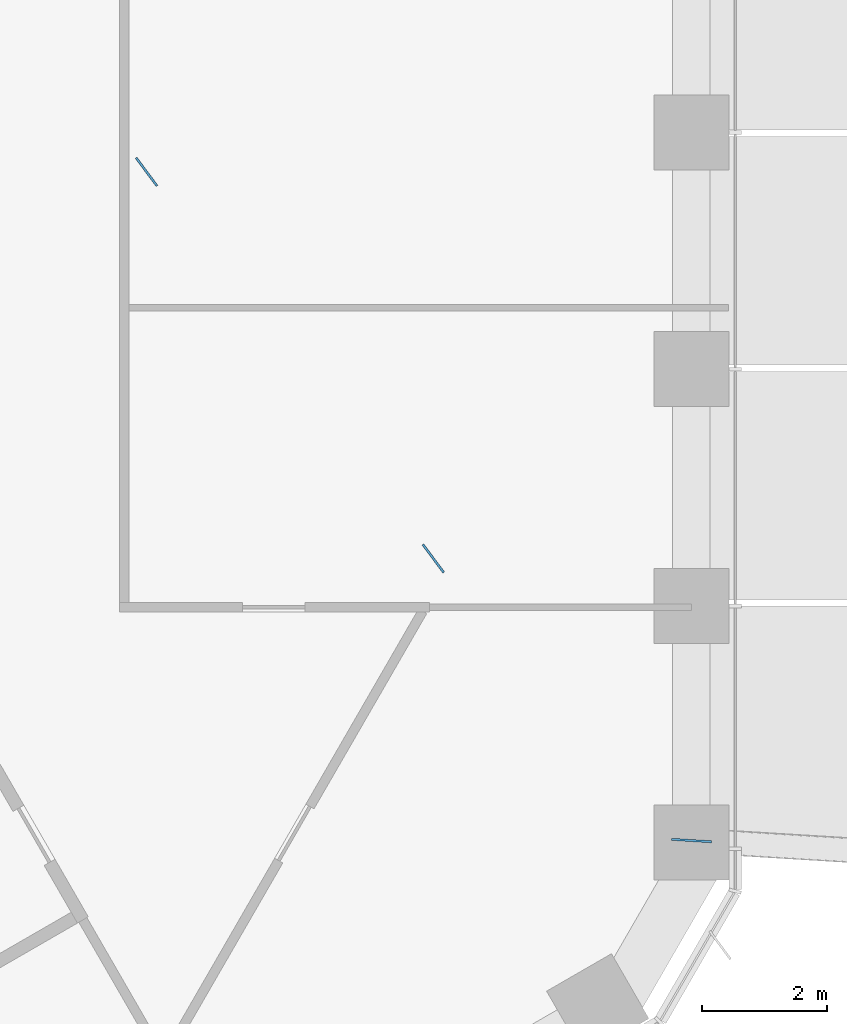
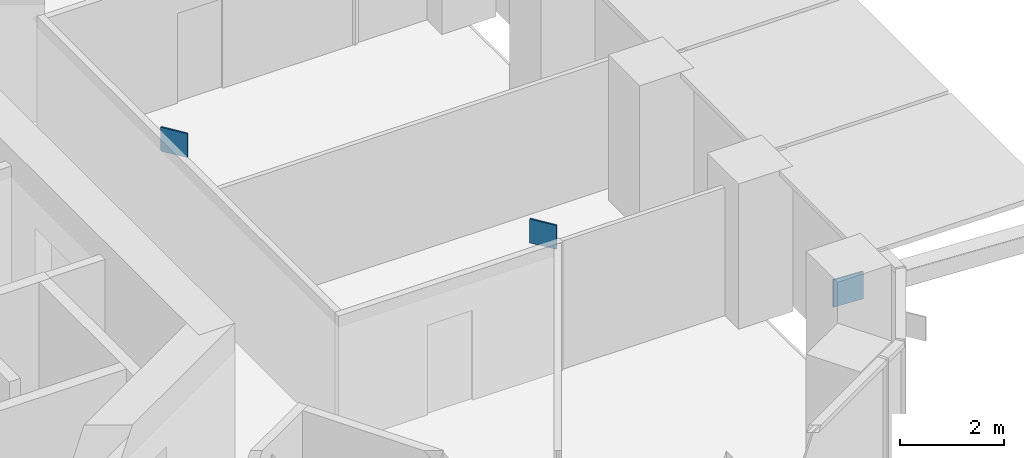
# One storey, part 18 of 22: 3 discrete accessories.
"""IFC4 building model written with IfcOpenShell, lengths in metres."""

from ifc_helpers import new_model, si_unit, direction, frame, origin, origin_2d, place, context, subcontext, project, spatial, rectangle, extrude, material, layer, layer_set, type_object, element, save


model = new_model("IFC4")

# Units and contexts
model_context = context("Model", 3, precision=1e-05, world=origin(), true_north=direction((0.0, 1.0)))
body_context = subcontext(model_context, "Body", "Model", "MODEL_VIEW")
ifc_project = project(units=[si_unit("LENGTHUNIT", "METRE"), si_unit("AREAUNIT", "SQUARE_METRE"), si_unit("VOLUMEUNIT", "CUBIC_METRE"), si_unit("PLANEANGLEUNIT", "RADIAN"), si_unit("MASSUNIT", "GRAM", prefix="KILO")], contexts=[model_context])

# Site, building, storey
site_placement = place(None, origin())
site = spatial("IfcSite", under=ifc_project, at=site_placement, CompositionType="ELEMENT")
building_placement = place(site_placement, origin())
building = spatial("IfcBuilding", under=site, at=building_placement, Name="Ayvan Gate Tower", CompositionType="ELEMENT")
storey_placement = place(building_placement, frame((0.0, 0.0, 62.89990234375)))
storey = spatial("IfcBuildingStorey", under=building, at=storey_placement, Name="L16", CompositionType="ELEMENT", Elevation=62.89990234375)

# Discrete accessories
ifc_material = material(Name="Steel S460ML", Category="steel")
ifc_layer = layer(ifc_material, 0.034912109375)
ifc_layer_set = layer_set([ifc_layer], Name="Steel S460ML")
discrete_accessory_type = type_object("IfcDiscreteAccessoryType", Name="Gusset plate 35 mm", PredefinedType="BRACKET", material=ifc_layer_set)
for number, where, z_axis, x_axis, name in (
    (1, (12.057373046875, 1.264892578125, 2.3701171875), (0.0, 0.0, 1.0), (-0.59571752854, 0.803194015285, 0.0), "Gusset plate SBT1-4-D-2"),
    (2, (16.650634765625, -4.927978515625, 2.3701171875), (0.0, 0.0, 1.0), (-0.59571752854, 0.803194015285, 0.0), "Gusset plate SBT1-4-D-3"),
):
    element("IfcDiscreteAccessory", number, at=place(storey_placement, frame(where, z_axis=z_axis, x_axis=x_axis)), inside=storey, type_object=discrete_accessory_type, Name=name, PredefinedType="BRACKET", context=body_context, shape_type="SweptSolid", body=[
        extrude(rectangle(XDim=0.56005859375, YDim=0.034912109375, at=origin_2d()), origin(), (0.0, 0.0, 1.0), 0.56005859375),
    ])
discrete_accessory_placement = place(storey_placement, frame((20.78466796875, -9.445556640625, 2.330078125), z_axis=(0.0, 0.0, 1.0), x_axis=(-0.998140122111, 0.060961435609, 0.0)))
element("IfcDiscreteAccessory", 3, at=discrete_accessory_placement, inside=storey, type_object=discrete_accessory_type, Name="Gusset plate SBX1-A-D-1", PredefinedType="BRACKET", context=body_context, shape_type="SweptSolid", body=[
    extrude(rectangle(XDim=0.639892578125, YDim=0.034912109375, at=origin_2d()), origin(), (0.0, 0.0, 1.0), 0.639892578125),
])

save(model, "model.ifc")
